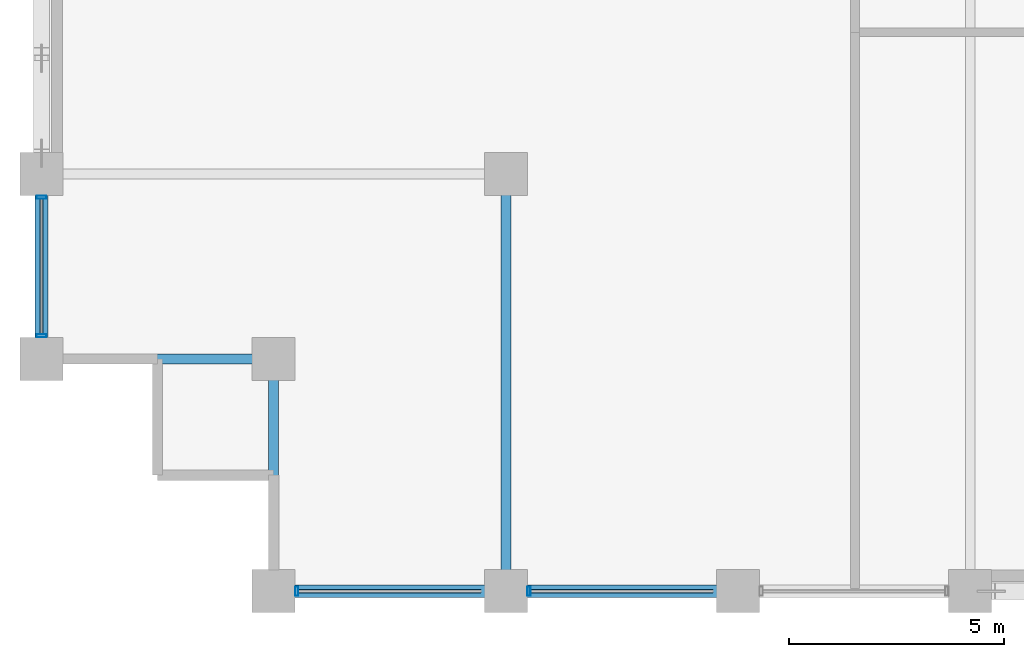
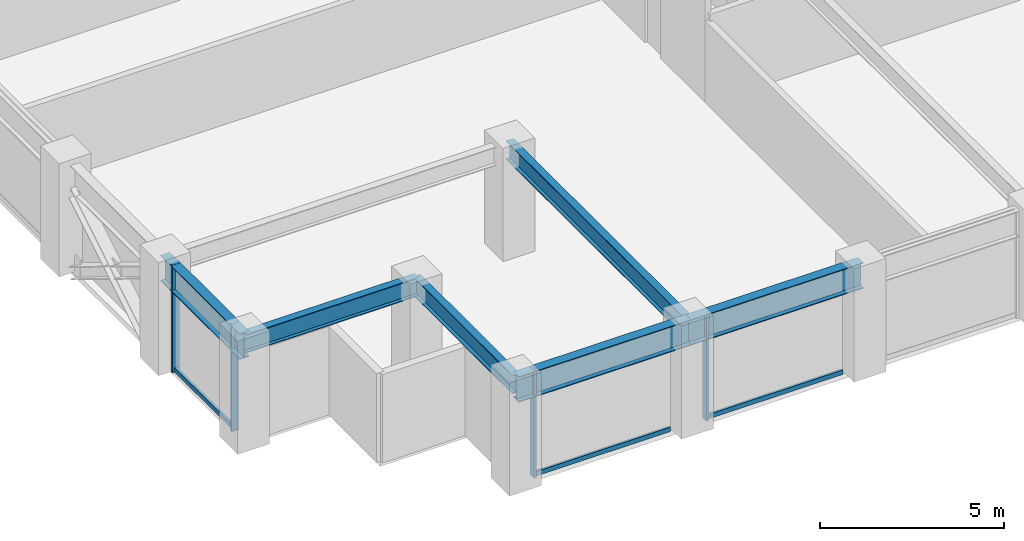
# One storey, part 2 of 23: 7 members, 6 beams, 2 elements without a shape of their own.
"""IFC4 building model written with IfcOpenShell, lengths in metres."""

import ifcopenshell
import ifcopenshell.guid

model = None  # the IFC model being written
_history = None  # IfcOwnerHistory: only IFC2X3 demands one
_inside = {}  # id of a spatial element -> (the spatial element, [elements in it])
_under = {}  # id of a project, library or spatial element -> (it, [spatial elements below it])
_declared = {}  # id of a project -> (the project, [libraries it declares])
_typed = {}  # id of a type object -> (the type object, [elements of that type])
_made_of = {}  # id of a material, layer set ... -> (it, [elements and type objects made of it])


def new_model(schema):
    """Start an empty IFC model of exactly this schema.

    Asked for "IFC4X3", IfcOpenShell would pick the latest addendum, in which some entities
    have other attributes; the version numbers below select the first issue.
    IFC2X3 requires an IfcOwnerHistory on every rooted entity: one is made here for all.
    """
    global model, _history
    if schema == "IFC4X3":
        model = ifcopenshell.file(schema_version=(4, 3, 0, 0))
    else:
        model = ifcopenshell.file(schema=schema)
    _inside.clear()
    _under.clear()
    _declared.clear()
    _typed.clear()
    _made_of.clear()
    _history = None
    if model.schema == "IFC2X3":
        org = make("IfcOrganization", Name="unknown")
        user = make(
            "IfcPersonAndOrganization",
            ThePerson=make("IfcPerson", FamilyName="unknown"),
            TheOrganization=org,
        )
        app = make(
            "IfcApplication",
            ApplicationDeveloper=org,
            Version="unknown",
            ApplicationFullName="unknown",
            ApplicationIdentifier="unknown",
        )
        _history = make(
            "IfcOwnerHistory",
            OwningUser=user,
            OwningApplication=app,
            ChangeAction="ADDED",
            CreationDate=0,
        )
    return model


def make(cls, **values):
    """One entity of the class cls with the attributes given. An attribute that is None is left unset."""
    return model.create_entity(
        cls, **{name: value for name, value in values.items() if value is not None}
    )


def rooted(cls, **values):
    """An entity with a GlobalId (a new one), such as an element, a storey or a relation."""
    return make(cls, GlobalId=ifcopenshell.guid.new(), OwnerHistory=_history, **values)


def si_unit(unit_type, name, prefix=None):
    """IfcSIUnit, for example si_unit("LENGTHUNIT", "METRE", prefix="MILLI")."""
    return make("IfcSIUnit", UnitType=unit_type, Prefix=prefix, Name=name)


def assignment(units):
    """IfcUnitAssignment: the units of a project."""
    return None if units is None else make("IfcUnitAssignment", Units=units)


def point(xyz):
    """IfcCartesianPoint."""
    return None if xyz is None else make("IfcCartesianPoint", Coordinates=xyz)


def direction(xyz):
    """IfcDirection."""
    return None if xyz is None else make("IfcDirection", DirectionRatios=xyz)


def frame(location, z_axis=None, x_axis=None):
    """IfcAxis2Placement3D, a coordinate frame: its origin and axes. An axis left out is left unset."""
    return make(
        "IfcAxis2Placement3D",
        Location=point(location),
        Axis=direction(z_axis),
        RefDirection=direction(x_axis),
    )


def frame_2d(location, x_axis=None):
    """IfcAxis2Placement2D, a coordinate frame in the plane: its origin and x axis."""
    return make(
        "IfcAxis2Placement2D", Location=point(location), RefDirection=direction(x_axis)
    )


def origin():
    """The frame at (0, 0, 0) with its axes left unset."""
    return frame((0.0, 0.0, 0.0))


def origin_2d():
    """The frame at (0, 0) in the plane with its x axis left unset."""
    return frame_2d((0.0, 0.0))


def place(relative_to, where):
    """IfcLocalPlacement: puts the frame where relative to a parent placement (None: the world)."""
    return make(
        "IfcLocalPlacement", PlacementRelTo=relative_to, RelativePlacement=where
    )


def context(
    kind, dimensions, precision=None, world=None, true_north=None, identifier=None
):
    """IfcGeometricRepresentationContext, for example the 3D "Model" context."""
    return make(
        "IfcGeometricRepresentationContext",
        ContextIdentifier=identifier,
        ContextType=kind,
        CoordinateSpaceDimension=dimensions,
        Precision=precision,
        WorldCoordinateSystem=world,
        TrueNorth=true_north,
    )


def subcontext(parent, identifier, kind, view, scale=None):
    """IfcGeometricRepresentationSubContext, for example "Body" below "Model"."""
    return make(
        "IfcGeometricRepresentationSubContext",
        ContextIdentifier=identifier,
        ContextType=kind,
        ParentContext=parent,
        TargetScale=scale,
        TargetView=view,
    )


def project(units=None, contexts=None):
    """IfcProject with its units and contexts."""
    return rooted(
        "IfcProject",
        Name="project",
        RepresentationContexts=contexts,
        UnitsInContext=assignment(units),
    )


def spatial(cls, under=None, at=None, **own):
    """A site, building, storey or space (cls), placed at a placement, below another one or the project."""
    s = rooted(cls, ObjectPlacement=at, **own)
    if under is not None:
        _under.setdefault(under.id(), (under, []))[1].append(s)
    return s


def profile(cls, at=None, kind="AREA", **sizes):
    """A parametric profile (cls). Its sizes go by their IFC names, for example OverallWidth=200.0."""
    return make(cls, ProfileType=kind, Position=at, **sizes)


def hollow_rectangle(**sizes):
    """IfcRectangleHollowProfileDef."""
    return profile("IfcRectangleHollowProfileDef", **sizes)


def i_section(**sizes):
    """IfcIShapeProfileDef."""
    return profile("IfcIShapeProfileDef", **sizes)


def extrude(swept, where, along, depth):
    """IfcExtrudedAreaSolid: the profile swept, set in the frame where, extruded along a direction by depth."""
    return make(
        "IfcExtrudedAreaSolid",
        SweptArea=swept,
        Position=where,
        ExtrudedDirection=direction(along),
        Depth=depth,
    )


def shape(context_of_items, identifier, shape_type, items):
    """IfcShapeRepresentation: the items that make up one representation, for example the "Body"."""
    return make(
        "IfcShapeRepresentation",
        ContextOfItems=context_of_items,
        RepresentationIdentifier=identifier,
        RepresentationType=shape_type,
        Items=items,
    )


def material(Name=None, Category=None):
    """IfcMaterial."""
    return make("IfcMaterial", Name=Name, Category=Category)


def layer(
    of_material, thickness, ventilated=None, Name=None, Category=None, Priority=None
):
    """IfcMaterialLayer: one layer of a wall or slab, of a material (None: an air gap)."""
    return make(
        "IfcMaterialLayer",
        Material=of_material,
        LayerThickness=thickness,
        IsVentilated=ventilated,
        Name=Name,
        Category=Category,
        Priority=Priority,
    )


def layer_set(layers, Name=None):
    """IfcMaterialLayerSet."""
    return make("IfcMaterialLayerSet", MaterialLayers=layers, LayerSetName=Name)


def material_profile(
    of_material, cross_section, Name=None, Category=None, Priority=None
):
    """IfcMaterialProfile: a cross section and its material."""
    return make(
        "IfcMaterialProfile",
        Name=Name,
        Material=of_material,
        Profile=cross_section,
        Priority=Priority,
        Category=Category,
    )


def profile_set(profiles, Name=None, composite=None):
    """IfcMaterialProfileSet."""
    return make(
        "IfcMaterialProfileSet",
        Name=Name,
        MaterialProfiles=profiles,
        CompositeProfile=composite,
    )


def made_of(thing, what):
    """Note that an element or type object is made of a material, layer set ...; save() writes the relation."""
    if what is not None:
        _made_of.setdefault(what.id(), (what, []))[1].append(thing)
    return thing


def type_object(cls, material=None, **own):
    """A type object (cls), such as IfcWallType, which elements share."""
    return made_of(rooted(cls, **own), material)


def element(
    cls,
    number,
    at=None,
    inside=None,
    cuts=None,
    type_object=None,
    material=None,
    context=None,
    identifier="Body",
    shape_type=None,
    held_by="IfcProductDefinitionShape",
    body=None,
    shapes=None,
    **own,
):
    """One element of the class cls, such as IfcWall. Its Tag is "e" and its number.

    at: its placement. inside: the storey or other place that contains it. cuts: it is an
    opening in that element (IfcRelVoidsElement). A single representation is given by context,
    identifier, shape_type and body (its items); several are given by shapes. held_by: the class
    of the entity that holds the representations. save() writes the other relations.
    """
    e = rooted(cls, Tag="e%d" % number, ObjectPlacement=at, **own)
    if body is not None:
        shapes = [shape(context, identifier, shape_type, body)]
    if shapes is not None:
        e.Representation = make(held_by, Representations=shapes)
    if inside is not None:
        _inside.setdefault(inside.id(), (inside, []))[1].append(e)
    if cuts is not None:
        rooted(
            "IfcRelVoidsElement", RelatingBuildingElement=cuts, RelatedOpeningElement=e
        )
    if type_object is not None:
        _typed.setdefault(type_object.id(), (type_object, []))[1].append(e)
    return made_of(e, material)


def aggregate(whole, parts):
    """IfcRelAggregates: a whole, such as a stair, and the parts it consists of."""
    return rooted("IfcRelAggregates", RelatingObject=whole, RelatedObjects=parts)


def save(model, path):
    """Write the relations noted so far, then the file.

    IfcRelAggregates (storeys below a building ...), IfcRelContainedInSpatialStructure (elements
    in a storey), IfcRelDefinesByType, IfcRelAssociatesMaterial and IfcRelDeclares: one each for
    every whole, place, type object, material and project.
    """
    for whole, parts in _under.values():
        aggregate(whole, parts)
    for where, things in _inside.values():
        rooted(
            "IfcRelContainedInSpatialStructure",
            RelatedElements=things,
            RelatingStructure=where,
        )
    for kind, things in _typed.values():
        rooted("IfcRelDefinesByType", RelatedObjects=things, RelatingType=kind)
    for what, things in _made_of.values():
        rooted("IfcRelAssociatesMaterial", RelatedObjects=things, RelatingMaterial=what)
    for by, libraries in _declared.values():
        rooted("IfcRelDeclares", RelatingContext=by, RelatedDefinitions=libraries)
    model.write(path)


model = new_model("IFC4")

# Units and contexts
model_context = context("Model", 3, precision=1e-05, world=origin(), true_north=direction((0.0, 1.0)))
body_context = subcontext(model_context, "Body", "Model", "MODEL_VIEW")
ifc_project = project(units=[si_unit("LENGTHUNIT", "METRE"), si_unit("AREAUNIT", "SQUARE_METRE"), si_unit("VOLUMEUNIT", "CUBIC_METRE"), si_unit("PLANEANGLEUNIT", "RADIAN"), si_unit("MASSUNIT", "GRAM", prefix="KILO")], contexts=[model_context])

# Site, building, storey
site_placement = place(None, origin())
site = spatial("IfcSite", under=ifc_project, at=site_placement, CompositionType="ELEMENT")
building_placement = place(site_placement, origin())
building = spatial("IfcBuilding", under=site, at=building_placement, Name="Surkhivell Harbour Commons", CompositionType="ELEMENT")
storey_placement = place(building_placement, frame((0.0, 0.0, 128.25)))
storey = spatial("IfcBuildingStorey", under=building, at=storey_placement, Name="L33", CompositionType="ELEMENT", Elevation=128.25)

# Beams
ifc_material_1 = material(Name="Steel S355", Category="steel")
ifc_material_profile_1 = material_profile(ifc_material_1, i_section(OverallWidth=0.22998046875, OverallDepth=0.616943359375, WebThickness=0.01318359375, FlangeThickness=0.022216796875, at=origin_2d()), Name="UB610x229x140")
ifc_profile_set_1 = profile_set([ifc_material_profile_1], Name="Steel S355")
beam_type_1 = type_object("IfcBeamType", Name="BM-GRD-610B", PredefinedType="BEAM", material=ifc_profile_set_1)
for number, where, z_axis, x_axis, name in (
    (1, (-32.39990234375, -20.5, 3.261474609375), (1.0, 0.0, 0.0), (0.0, 1.0, 0.0), "L33 Floor Girder (-32.4,-20.5)"),
    (2, (-27.0, -25.89990234375, 3.261474609375), (0.0, 1.0, 0.0), (-1.0, 0.0, 0.0), "L33 Floor Girder (-27.0,-25.9)"),
):
    element("IfcBeam", number, at=place(storey_placement, frame(where, z_axis=z_axis, x_axis=x_axis)), inside=storey, type_object=beam_type_1, Name=name, PredefinedType="BEAM", context=body_context, shape_type="SweptSolid", body=[
        extrude(i_section(OverallWidth=0.22998046875, OverallDepth=0.616943359375, WebThickness=0.01318359375, FlangeThickness=0.022216796875, at=origin_2d()), origin(), (0.0, 0.0, 1.0), 5.39990234375),
    ])
beam_1_placement = place(storey_placement, frame((-21.60009765625, -25.89990234375, 3.261474609375), z_axis=(0.0, 1.0, 0.0), x_axis=(-1.0, 0.0, 0.0)))
element("IfcBeam", 3, at=beam_1_placement, inside=storey, type_object=beam_type_1, Name="L33 Floor Girder (-21.6,-25.9)", PredefinedType="BEAM", context=body_context, shape_type="SweptSolid", body=[
    extrude(i_section(OverallWidth=0.22998046875, OverallDepth=0.616943359375, WebThickness=0.01318359375, FlangeThickness=0.022216796875, at=origin_2d()), origin(), (0.0, 0.0, 1.0), 9.699951171875),
])
ifc_material_2 = material(Name="Steel S460", Category="steel")
ifc_material_profile_2 = material_profile(ifc_material_2, i_section(OverallWidth=0.2939453125, OverallDepth=0.85107421875, WebThickness=0.01611328125, FlangeThickness=0.02685546875, at=origin_2d()), Name="UB838x292x226")
ifc_profile_set_2 = profile_set([ifc_material_profile_2], Name="Steel S460")
beam_type_2 = type_object("IfcBeamType", Name="BM-SPN-838", PredefinedType="SPANDREL", material=ifc_profile_set_2)
beam_2_placement = place(storey_placement, frame((-32.39990234375, -20.5, 3.14453125), z_axis=(0.0, 1.0, 0.0), x_axis=(-1.0, 0.0, 0.0)))
element("IfcBeam", 4, at=beam_2_placement, inside=storey, type_object=beam_type_2, Name="L33 Tube Spandrel (-32.4,-20.5)", PredefinedType="SPANDREL", context=body_context, shape_type="SweptSolid", body=[
    extrude(i_section(OverallWidth=0.2939453125, OverallDepth=0.85107421875, WebThickness=0.01611328125, FlangeThickness=0.02685546875, at=origin_2d()), origin(), (0.0, 0.0, 1.0), 4.300048828125),
])
beam_3_placement = place(storey_placement, frame((-27.0, -25.89990234375, 3.14453125), z_axis=(1.0, 0.0, 0.0), x_axis=(0.0, 1.0, 0.0)))
element("IfcBeam", 5, at=beam_3_placement, inside=storey, type_object=beam_type_2, Name="L33 Tube Spandrel (-27.0,-25.9)", PredefinedType="SPANDREL", context=body_context, shape_type="SweptSolid", body=[
    extrude(i_section(OverallWidth=0.2939453125, OverallDepth=0.85107421875, WebThickness=0.01611328125, FlangeThickness=0.02685546875, at=origin_2d()), origin(), (0.0, 0.0, 1.0), 5.39990234375),
])
beam_4_placement = place(storey_placement, frame((-21.60009765625, -25.89990234375, 3.14453125), z_axis=(1.0, 0.0, 0.0), x_axis=(0.0, 1.0, 0.0)))
element("IfcBeam", 6, at=beam_4_placement, inside=storey, type_object=beam_type_2, Name="L33 Tube Spandrel (-21.6,-25.9)", PredefinedType="SPANDREL", context=body_context, shape_type="SweptSolid", body=[
    extrude(i_section(OverallWidth=0.2939453125, OverallDepth=0.85107421875, WebThickness=0.01611328125, FlangeThickness=0.02685546875, at=origin_2d()), origin(), (0.0, 0.0, 1.0), 5.400146484375),
])

# Curtain wall, members
ifc_material_3 = material(Name="Anodised pale-metal aluminium and insulated glazing", Category="aluminium")
ifc_layer = layer(ifc_material_3, 0.205078125)
ifc_layer_set = layer_set([ifc_layer], Name="Anodised pale-metal aluminium and insulated glazing")
curtain_wall_type = type_object("IfcCurtainWallType", Name="CW-SYS-Z2", PredefinedType="NOTDEFINED", material=ifc_layer_set)
curtain_wall_1_placement = place(storey_placement, origin())
curtain_wall_1 = element("IfcCurtainWall", 7, at=curtain_wall_1_placement, inside=storey, type_object=curtain_wall_type, Name="L33 Curtain Wall CW-L33-E00S1", PredefinedType="NOTDEFINED")
ifc_material_4 = material(Name="Anodised pale-metal aluminium alloy 6063-T6", Category="aluminium")
ifc_material_profile_3 = material_profile(ifc_material_4, hollow_rectangle(XDim=0.074951171875, YDim=0.219970703125, WallThickness=0.00390625, at=origin_2d()), Name="ALU-MULL-75x220")
ifc_profile_set_3 = profile_set([ifc_material_profile_3], Name="Anodised pale-metal aluminium alloy 6063-T6")
member_type_1 = type_object("IfcMemberType", Name="CWM-220", PredefinedType="MULLION", material=ifc_profile_set_3)
member_1_placement = place(storey_placement, frame((-26.46044921875, -25.89990234375, 0.0), z_axis=(0.0, 0.0, 1.0), x_axis=(1.0, 0.0, 0.0)))
member_1 = element("IfcMember", 8, at=member_1_placement, type_object=member_type_1, Name="CW-Z2 mullion 1", PredefinedType="MULLION", context=body_context, shape_type="SweptSolid", body=[
    extrude(hollow_rectangle(XDim=0.074951171875, YDim=0.219970703125, WallThickness=0.00390625, at=origin_2d()), origin(), (0.0, 0.0, 1.0), 3.570068359375),
])
member_2_placement = place(storey_placement, frame((-21.060546875, -25.89990234375, 0.0), z_axis=(0.0, 0.0, 1.0), x_axis=(1.0, 0.0, 0.0)))
member_2 = element("IfcMember", 9, at=member_2_placement, type_object=member_type_1, Name="CW-Z2 mullion 2", PredefinedType="MULLION", context=body_context, shape_type="SweptSolid", body=[
    extrude(hollow_rectangle(XDim=0.074951171875, YDim=0.219970703125, WallThickness=0.00390625, at=origin_2d()), origin(), (0.0, 0.0, 1.0), 3.570068359375),
])

curtain_wall_2_placement = place(storey_placement, origin())
curtain_wall_2 = element("IfcCurtainWall", 10, at=curtain_wall_2_placement, inside=storey, type_object=curtain_wall_type, Name="L33 Curtain Wall CW-L33-E12S2", PredefinedType="NOTDEFINED")
member_3_placement = place(storey_placement, frame((-32.39990234375, -16.739501953125, 0.0), z_axis=(0.0, 0.0, 1.0), x_axis=(0.0, -1.0, 0.0)))
member_3 = element("IfcMember", 11, at=member_3_placement, type_object=member_type_1, Name="CW-Z2 mullion 1", PredefinedType="MULLION", context=body_context, shape_type="SweptSolid", body=[
    extrude(hollow_rectangle(XDim=0.074951171875, YDim=0.219970703125, WallThickness=0.00390625, at=origin_2d()), origin(), (0.0, 0.0, 1.0), 3.570068359375),
])
member_4_placement = place(storey_placement, frame((-32.39990234375, -19.96044921875, 0.0), z_axis=(0.0, 0.0, 1.0), x_axis=(0.0, -1.0, 0.0)))
member_4 = element("IfcMember", 12, at=member_4_placement, type_object=member_type_1, Name="CW-Z2 mullion 2", PredefinedType="MULLION", context=body_context, shape_type="SweptSolid", body=[
    extrude(hollow_rectangle(XDim=0.074951171875, YDim=0.219970703125, WallThickness=0.00390625, at=origin_2d()), origin(), (0.0, 0.0, 1.0), 3.570068359375),
])

# Member
ifc_material_profile_4 = material_profile(ifc_material_4, hollow_rectangle(XDim=0.074951171875, YDim=0.14990234375, WallThickness=0.00341796875, at=origin_2d()), Name="ALU-TRAN-75x150")
ifc_profile_set_4 = profile_set([ifc_material_profile_4], Name="Anodised pale-metal aluminium alloy 6063-T6")
member_type_2 = type_object("IfcMemberType", Name="CWT-150", PredefinedType="USERDEFINED", material=ifc_profile_set_4)
member_5_placement = place(storey_placement, frame((-26.423095703125, -25.89990234375, 0.074951171875), z_axis=(1.0, 0.0, 0.0), x_axis=(0.0, 1.0, 0.0)))
member_5 = element("IfcMember", 13, at=member_5_placement, type_object=member_type_2, Name="CW-Z2 transom 1.1", ObjectType="TRANSOM", PredefinedType="USERDEFINED", context=body_context, shape_type="SweptSolid", body=[
    extrude(hollow_rectangle(XDim=0.074951171875, YDim=0.14990234375, WallThickness=0.00341796875, at=origin_2d()), origin(), (0.0, 0.0, 1.0), 4.24609375),
])

member_6_placement = place(storey_placement, frame((-21.02294921875, -25.89990234375, 0.074951171875), z_axis=(1.0, 0.0, 0.0), x_axis=(0.0, 1.0, 0.0)))
member_6 = element("IfcMember", 14, at=member_6_placement, type_object=member_type_2, Name="CW-Z2 transom 2.1", ObjectType="TRANSOM", PredefinedType="USERDEFINED", context=body_context, shape_type="SweptSolid", body=[
    extrude(hollow_rectangle(XDim=0.074951171875, YDim=0.14990234375, WallThickness=0.00341796875, at=origin_2d()), origin(), (0.0, 0.0, 1.0), 4.245849609375),
])

aggregate(curtain_wall_1, [member_1, member_5, member_2, member_6])

member_7_placement = place(storey_placement, frame((-32.39990234375, -16.777099609375, 0.074951171875), z_axis=(0.0, -1.0, 0.0), x_axis=(1.0, 0.0, 0.0)))
member_7 = element("IfcMember", 15, at=member_7_placement, type_object=member_type_2, Name="CW-Z2 transom 1.1", ObjectType="TRANSOM", PredefinedType="USERDEFINED", context=body_context, shape_type="SweptSolid", body=[
    extrude(hollow_rectangle(XDim=0.074951171875, YDim=0.14990234375, WallThickness=0.00341796875, at=origin_2d()), origin(), (0.0, 0.0, 1.0), 3.14599609375),
])

aggregate(curtain_wall_2, [member_3, member_4, member_7])

save(model, "model.ifc")
